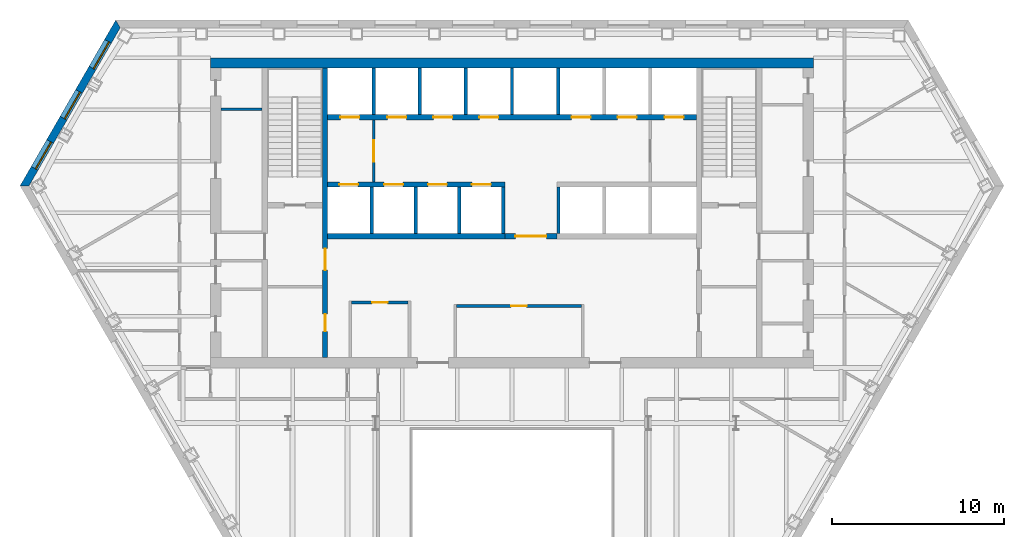
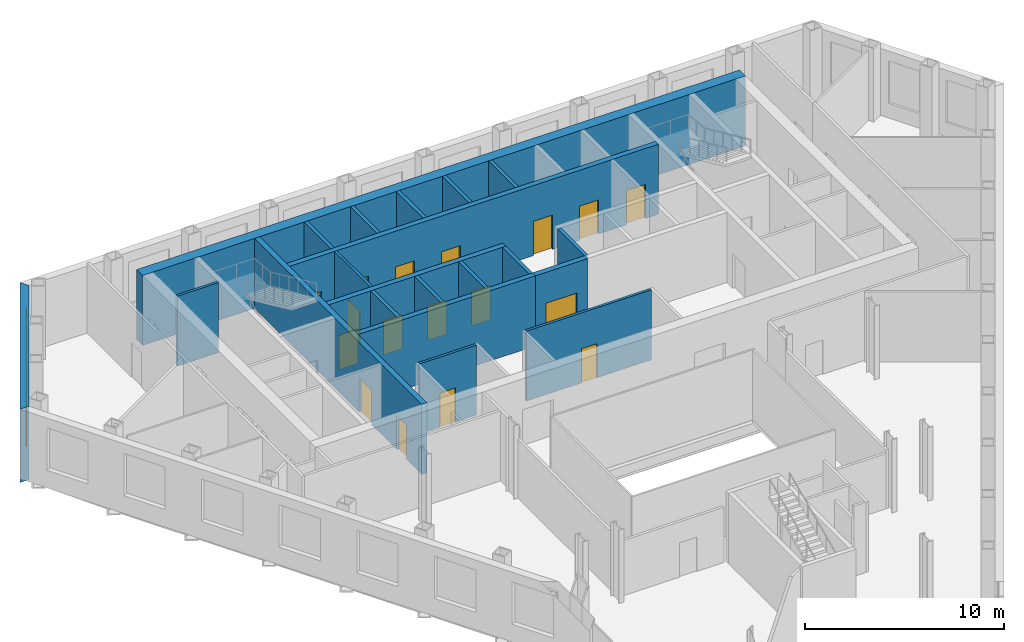
# One storey, part 7 of 12: 21 walls, 17 doors, 3 windows, 20 openings.
"""IFC4 building model written with IfcOpenShell, lengths in metres."""

import ifcopenshell
import ifcopenshell.guid

model = None  # the IFC model being written
_history = None  # IfcOwnerHistory: only IFC2X3 demands one
_inside = {}  # id of a spatial element -> (the spatial element, [elements in it])
_under = {}  # id of a project, library or spatial element -> (it, [spatial elements below it])
_declared = {}  # id of a project -> (the project, [libraries it declares])
_typed = {}  # id of a type object -> (the type object, [elements of that type])
_made_of = {}  # id of a material, layer set ... -> (it, [elements and type objects made of it])


def new_model(schema):
    """Start an empty IFC model of exactly this schema.

    Asked for "IFC4X3", IfcOpenShell would pick the latest addendum, in which some entities
    have other attributes; the version numbers below select the first issue.
    IFC2X3 requires an IfcOwnerHistory on every rooted entity: one is made here for all.
    """
    global model, _history
    if schema == "IFC4X3":
        model = ifcopenshell.file(schema_version=(4, 3, 0, 0))
    else:
        model = ifcopenshell.file(schema=schema)
    _inside.clear()
    _under.clear()
    _declared.clear()
    _typed.clear()
    _made_of.clear()
    _history = None
    if model.schema == "IFC2X3":
        org = make("IfcOrganization", Name="unknown")
        user = make(
            "IfcPersonAndOrganization",
            ThePerson=make("IfcPerson", FamilyName="unknown"),
            TheOrganization=org,
        )
        app = make(
            "IfcApplication",
            ApplicationDeveloper=org,
            Version="unknown",
            ApplicationFullName="unknown",
            ApplicationIdentifier="unknown",
        )
        _history = make(
            "IfcOwnerHistory",
            OwningUser=user,
            OwningApplication=app,
            ChangeAction="ADDED",
            CreationDate=0,
        )
    return model


def make(cls, **values):
    """One entity of the class cls with the attributes given. An attribute that is None is left unset."""
    return model.create_entity(
        cls, **{name: value for name, value in values.items() if value is not None}
    )


def rooted(cls, **values):
    """An entity with a GlobalId (a new one), such as an element, a storey or a relation."""
    return make(cls, GlobalId=ifcopenshell.guid.new(), OwnerHistory=_history, **values)


def si_unit(unit_type, name, prefix=None):
    """IfcSIUnit, for example si_unit("LENGTHUNIT", "METRE", prefix="MILLI")."""
    return make("IfcSIUnit", UnitType=unit_type, Prefix=prefix, Name=name)


def assignment(units):
    """IfcUnitAssignment: the units of a project."""
    return None if units is None else make("IfcUnitAssignment", Units=units)


def point(xyz):
    """IfcCartesianPoint."""
    return None if xyz is None else make("IfcCartesianPoint", Coordinates=xyz)


def direction(xyz):
    """IfcDirection."""
    return None if xyz is None else make("IfcDirection", DirectionRatios=xyz)


def frame(location, z_axis=None, x_axis=None):
    """IfcAxis2Placement3D, a coordinate frame: its origin and axes. An axis left out is left unset."""
    return make(
        "IfcAxis2Placement3D",
        Location=point(location),
        Axis=direction(z_axis),
        RefDirection=direction(x_axis),
    )


def frame_2d(location, x_axis=None):
    """IfcAxis2Placement2D, a coordinate frame in the plane: its origin and x axis."""
    return make(
        "IfcAxis2Placement2D", Location=point(location), RefDirection=direction(x_axis)
    )


def origin():
    """The frame at (0, 0, 0) with its axes left unset."""
    return frame((0.0, 0.0, 0.0))


def place(relative_to, where):
    """IfcLocalPlacement: puts the frame where relative to a parent placement (None: the world)."""
    return make(
        "IfcLocalPlacement", PlacementRelTo=relative_to, RelativePlacement=where
    )


def context(
    kind, dimensions, precision=None, world=None, true_north=None, identifier=None
):
    """IfcGeometricRepresentationContext, for example the 3D "Model" context."""
    return make(
        "IfcGeometricRepresentationContext",
        ContextIdentifier=identifier,
        ContextType=kind,
        CoordinateSpaceDimension=dimensions,
        Precision=precision,
        WorldCoordinateSystem=world,
        TrueNorth=true_north,
    )


def subcontext(parent, identifier, kind, view, scale=None):
    """IfcGeometricRepresentationSubContext, for example "Body" below "Model"."""
    return make(
        "IfcGeometricRepresentationSubContext",
        ContextIdentifier=identifier,
        ContextType=kind,
        ParentContext=parent,
        TargetScale=scale,
        TargetView=view,
    )


def project(units=None, contexts=None):
    """IfcProject with its units and contexts."""
    return rooted(
        "IfcProject",
        Name="project",
        RepresentationContexts=contexts,
        UnitsInContext=assignment(units),
    )


def spatial(cls, under=None, at=None, **own):
    """A site, building, storey or space (cls), placed at a placement, below another one or the project."""
    s = rooted(cls, ObjectPlacement=at, **own)
    if under is not None:
        _under.setdefault(under.id(), (under, []))[1].append(s)
    return s


def polyline(points):
    """IfcPolyline through the points."""
    return make("IfcPolyline", Points=[point(p) for p in points])


def profile(cls, at=None, kind="AREA", **sizes):
    """A parametric profile (cls). Its sizes go by their IFC names, for example OverallWidth=200.0."""
    return make(cls, ProfileType=kind, Position=at, **sizes)


def rectangle(**sizes):
    """IfcRectangleProfileDef."""
    return profile("IfcRectangleProfileDef", **sizes)


def outline(outer, holes=None, kind="AREA"):
    """IfcArbitraryClosedProfileDef: a profile drawn as a closed curve; with holes, ...WithVoids."""
    if holes is None:
        return make("IfcArbitraryClosedProfileDef", ProfileType=kind, OuterCurve=outer)
    return make(
        "IfcArbitraryProfileDefWithVoids",
        ProfileType=kind,
        OuterCurve=outer,
        InnerCurves=holes,
    )


def extrude(swept, where, along, depth):
    """IfcExtrudedAreaSolid: the profile swept, set in the frame where, extruded along a direction by depth."""
    return make(
        "IfcExtrudedAreaSolid",
        SweptArea=swept,
        Position=where,
        ExtrudedDirection=direction(along),
        Depth=depth,
    )


def shape(context_of_items, identifier, shape_type, items):
    """IfcShapeRepresentation: the items that make up one representation, for example the "Body"."""
    return make(
        "IfcShapeRepresentation",
        ContextOfItems=context_of_items,
        RepresentationIdentifier=identifier,
        RepresentationType=shape_type,
        Items=items,
    )


def material(Name=None, Category=None):
    """IfcMaterial."""
    return make("IfcMaterial", Name=Name, Category=Category)


def layer(
    of_material, thickness, ventilated=None, Name=None, Category=None, Priority=None
):
    """IfcMaterialLayer: one layer of a wall or slab, of a material (None: an air gap)."""
    return make(
        "IfcMaterialLayer",
        Material=of_material,
        LayerThickness=thickness,
        IsVentilated=ventilated,
        Name=Name,
        Category=Category,
        Priority=Priority,
    )


def layer_set(layers, Name=None):
    """IfcMaterialLayerSet."""
    return make("IfcMaterialLayerSet", MaterialLayers=layers, LayerSetName=Name)


def made_of(thing, what):
    """Note that an element or type object is made of a material, layer set ...; save() writes the relation."""
    if what is not None:
        _made_of.setdefault(what.id(), (what, []))[1].append(thing)
    return thing


def type_object(cls, material=None, **own):
    """A type object (cls), such as IfcWallType, which elements share."""
    return made_of(rooted(cls, **own), material)


def element(
    cls,
    number,
    at=None,
    inside=None,
    cuts=None,
    type_object=None,
    material=None,
    context=None,
    identifier="Body",
    shape_type=None,
    held_by="IfcProductDefinitionShape",
    body=None,
    shapes=None,
    **own,
):
    """One element of the class cls, such as IfcWall. Its Tag is "e" and its number.

    at: its placement. inside: the storey or other place that contains it. cuts: it is an
    opening in that element (IfcRelVoidsElement). A single representation is given by context,
    identifier, shape_type and body (its items); several are given by shapes. held_by: the class
    of the entity that holds the representations. save() writes the other relations.
    """
    e = rooted(cls, Tag="e%d" % number, ObjectPlacement=at, **own)
    if body is not None:
        shapes = [shape(context, identifier, shape_type, body)]
    if shapes is not None:
        e.Representation = make(held_by, Representations=shapes)
    if inside is not None:
        _inside.setdefault(inside.id(), (inside, []))[1].append(e)
    if cuts is not None:
        rooted(
            "IfcRelVoidsElement", RelatingBuildingElement=cuts, RelatedOpeningElement=e
        )
    if type_object is not None:
        _typed.setdefault(type_object.id(), (type_object, []))[1].append(e)
    return made_of(e, material)


def fill(opening, filler):
    """IfcRelFillsElement: the door or window that sits in an opening."""
    return rooted(
        "IfcRelFillsElement",
        RelatingOpeningElement=opening,
        RelatedBuildingElement=filler,
    )


def aggregate(whole, parts):
    """IfcRelAggregates: a whole, such as a stair, and the parts it consists of."""
    return rooted("IfcRelAggregates", RelatingObject=whole, RelatedObjects=parts)


def save(model, path):
    """Write the relations noted so far, then the file.

    IfcRelAggregates (storeys below a building ...), IfcRelContainedInSpatialStructure (elements
    in a storey), IfcRelDefinesByType, IfcRelAssociatesMaterial and IfcRelDeclares: one each for
    every whole, place, type object, material and project.
    """
    for whole, parts in _under.values():
        aggregate(whole, parts)
    for where, things in _inside.values():
        rooted(
            "IfcRelContainedInSpatialStructure",
            RelatedElements=things,
            RelatingStructure=where,
        )
    for kind, things in _typed.values():
        rooted("IfcRelDefinesByType", RelatedObjects=things, RelatingType=kind)
    for what, things in _made_of.values():
        rooted("IfcRelAssociatesMaterial", RelatedObjects=things, RelatingMaterial=what)
    for by, libraries in _declared.values():
        rooted("IfcRelDeclares", RelatingContext=by, RelatedDefinitions=libraries)
    model.write(path)


model = new_model("IFC4")

# Units and contexts
model_context = context("Model", 3, precision=1e-05, world=origin(), true_north=direction((0.0, 1.0)))
body_context = subcontext(model_context, "Body", "Model", "MODEL_VIEW")
ifc_project = project(units=[si_unit("LENGTHUNIT", "METRE"), si_unit("AREAUNIT", "SQUARE_METRE"), si_unit("VOLUMEUNIT", "CUBIC_METRE"), si_unit("PLANEANGLEUNIT", "RADIAN"), si_unit("MASSUNIT", "GRAM", prefix="KILO")], contexts=[model_context])

# Site, building, storey
site_placement = place(None, origin())
site = spatial("IfcSite", under=ifc_project, at=site_placement, CompositionType="ELEMENT")
building_placement = place(site_placement, origin())
building = spatial("IfcBuilding", under=site, at=building_placement, Name="Njiva Tower", CompositionType="ELEMENT")
storey_placement = place(building_placement, frame((0.0, 0.0, 60.3)))
storey = spatial("IfcBuildingStorey", under=building, at=storey_placement, Name="L12", CompositionType="ELEMENT", Elevation=60.3)

# Wall, opening, door
ifc_material_1 = material(Name="Blockwork", Category="masonry")
ifc_layer_1 = layer(ifc_material_1, 0.15)
ifc_layer_set_1 = layer_set([ifc_layer_1], Name="Blockwork")
wall_type_1 = type_object("IfcWallType", Name="WT1 Compartment partition 150", PredefinedType="PARTITIONING", material=ifc_layer_set_1)
wall_1_placement = place(storey_placement, frame((-9.325, 3.8, 0.0), z_axis=(0.0, 0.0, 1.0), x_axis=(1.0, 0.0, 0.0)))
wall_1 = element("IfcWall", 1, at=wall_1_placement, inside=storey, type_object=wall_type_1, Name="Security office wall north", PredefinedType="PARTITIONING", context=body_context, shape_type="SweptSolid", body=[
    extrude(rectangle(XDim=3.3, YDim=0.15, at=frame_2d((1.65, 0.0))), origin(), (0.0, 0.0, 1.0), 4.3),
])
opening_1_placement = place(wall_1_placement, frame((1.2, 0.0, 0.0)))
opening_1 = element("IfcOpeningElement", 2, at=opening_1_placement, cuts=wall_1, Name="Opening S04-D932", PredefinedType="OPENING", context=body_context, shape_type="SweptSolid", body=[
    extrude(rectangle(XDim=0.9, YDim=2.1, at=frame_2d((0.45, 1.05))), frame((0.0, 0.085, 0.0), z_axis=(0.0, -1.0, 0.0), x_axis=(1.0, 0.0, 0.0)), (0.0, 0.0, 1.0), 0.17),
])
ifc_material_2 = material(Name="Steel fire door, painted", Category="steel")
door_type_1 = type_object("IfcDoorType", Name="D6 Fire-rated door 900x2100", OperationType="SINGLE_SWING_LEFT", PredefinedType="DOOR", material=ifc_material_2)
door_1_placement = place(opening_1_placement, origin())
door_1 = element("IfcDoor", 3, at=door_1_placement, inside=storey, type_object=door_type_1, Name="Security office door", OperationType="SINGLE_SWING_RIGHT", OverallHeight=2.1, OverallWidth=0.9, PredefinedType="DOOR", context=body_context, shape_type="SweptSolid", body=[
    extrude(rectangle(XDim=0.9, YDim=2.1, at=frame_2d((0.45, 1.05))), frame((0.0, 0.025, 0.0), z_axis=(0.0, -1.0, 0.0), x_axis=(1.0, 0.0, 0.0)), (0.0, 0.0, 1.0), 0.05),
])
fill(opening_1, door_1)

wall_2_placement = place(storey_placement, frame((-3.225, 3.6, 0.0), z_axis=(0.0, 0.0, 1.0), x_axis=(1.0, 0.0, 0.0)))
wall_2 = element("IfcWall", 4, at=wall_2_placement, inside=storey, type_object=wall_type_1, Name="Concierge office wall north", PredefinedType="PARTITIONING", context=body_context, shape_type="SweptSolid", body=[
    extrude(rectangle(XDim=7.25, YDim=0.15, at=frame_2d((3.625, 0.0))), origin(), (0.0, 0.0, 1.0), 4.3),
])
opening_2_placement = place(wall_2_placement, frame((3.175, 0.0, 0.0)))
opening_2 = element("IfcOpeningElement", 5, at=opening_2_placement, cuts=wall_2, Name="Opening S04-D933", PredefinedType="OPENING", context=body_context, shape_type="SweptSolid", body=[
    extrude(rectangle(XDim=0.9, YDim=2.1, at=frame_2d((0.45, 1.05))), frame((0.0, 0.085, 0.0), z_axis=(0.0, -1.0, 0.0), x_axis=(1.0, 0.0, 0.0)), (0.0, 0.0, 1.0), 0.17),
])
door_2_placement = place(opening_2_placement, origin())
door_2 = element("IfcDoor", 6, at=door_2_placement, inside=storey, type_object=door_type_1, Name="Concierge office door", OperationType="SINGLE_SWING_LEFT", OverallHeight=2.1, OverallWidth=0.9, PredefinedType="DOOR", context=body_context, shape_type="SweptSolid", body=[
    extrude(rectangle(XDim=0.9, YDim=2.1, at=frame_2d((0.45, 1.05))), frame((0.0, 0.025, 0.0), z_axis=(0.0, -1.0, 0.0), x_axis=(1.0, 0.0, 0.0)), (0.0, 0.0, 1.0), 0.05),
])
fill(opening_2, door_2)

# Wall, openings, doors
ifc_material_3 = material(Name="Concrete C40/50", Category="concrete")
ifc_layer_2 = layer(ifc_material_3, 0.3)
ifc_layer_set_2 = layer_set([ifc_layer_2], Name="Concrete C40/50")
wall_type_2 = type_object("IfcWallType", Name="WT10 Stair enclosure wall 300", PredefinedType="SHEAR", material=ifc_layer_set_2)
wall_3_placement = place(storey_placement, frame((-10.85, 0.6, 0.0), z_axis=(0.0, 0.0, 1.0), x_axis=(0.0, 1.0, 0.0)))
wall_3 = element("IfcWall", 7, at=wall_3_placement, inside=storey, type_object=wall_type_2, Name="Stair wall west inner", PredefinedType="SHEAR", context=body_context, shape_type="SweptSolid", body=[
    extrude(rectangle(XDim=16.8, YDim=0.3, at=frame_2d((8.4, 0.0))), origin(), (0.0, 0.0, 1.0), 4.3),
])
opening_3_placement = place(wall_3_placement, frame((5.075, 0.0, 0.0)))
opening_3 = element("IfcOpeningElement", 8, at=opening_3_placement, cuts=wall_3, Name="Opening S04-D914", PredefinedType="OPENING", context=body_context, shape_type="SweptSolid", body=[
    extrude(rectangle(XDim=1.25, YDim=2.1, at=frame_2d((0.625, 1.05))), frame((0.0, 0.16, 0.0), z_axis=(0.0, -1.0, 0.0), x_axis=(1.0, 0.0, 0.0)), (0.0, 0.0, 1.0), 0.32),
])
opening_4_placement = place(wall_3_placement, frame((1.525, 0.0, 0.0)))
opening_4 = element("IfcOpeningElement", 9, at=opening_4_placement, cuts=wall_3, Name="Opening S04-D915", PredefinedType="OPENING", context=body_context, shape_type="SweptSolid", body=[
    extrude(rectangle(XDim=1.0, YDim=2.1, at=frame_2d((0.5, 1.05))), frame((0.0, 0.16, 0.0), z_axis=(0.0, -1.0, 0.0), x_axis=(1.0, 0.0, 0.0)), (0.0, 0.0, 1.0), 0.32),
])
ifc_material_4 = material(Name="Steel door, painted", Category="steel")
door_type_2 = type_object("IfcDoorType", Name="D5 Steel door 1000x2100", OperationType="SINGLE_SWING_LEFT", PredefinedType="DOOR", material=ifc_material_4)
door_3_placement = place(opening_4_placement, origin())
door_3 = element("IfcDoor", 10, at=door_3_placement, inside=storey, type_object=door_type_2, Name="Business centre door", OperationType="SINGLE_SWING_RIGHT", OverallHeight=2.1, OverallWidth=1.0, PredefinedType="DOOR", context=body_context, shape_type="SweptSolid", body=[
    extrude(rectangle(XDim=1.0, YDim=2.1, at=frame_2d((0.5, 1.05))), frame((0.0, 0.025, 0.0), z_axis=(0.0, -1.0, 0.0), x_axis=(1.0, 0.0, 0.0)), (0.0, 0.0, 1.0), 0.05),
])
fill(opening_4, door_3)
ifc_material_5 = material(Name="Glazed steel fire door", Category="steel")
door_type_3 = type_object("IfcDoorType", Name="D8 Vestibule corridor door 1250x2100 glazed", OperationType="SINGLE_SWING_LEFT", PredefinedType="DOOR", material=ifc_material_5)
door_4_placement = place(opening_3_placement, origin())
door_4 = element("IfcDoor", 11, at=door_4_placement, inside=storey, type_object=door_type_3, Name="Stair vestibule corridor door", OperationType="SINGLE_SWING_LEFT", OverallHeight=2.1, OverallWidth=1.25, PredefinedType="DOOR", context=body_context, shape_type="SweptSolid", body=[
    extrude(rectangle(XDim=1.25, YDim=2.1, at=frame_2d((0.625, 1.05))), frame((0.0, 0.025, 0.0), z_axis=(0.0, -1.0, 0.0), x_axis=(1.0, 0.0, 0.0)), (0.0, 0.0, 1.0), 0.05),
])
fill(opening_3, door_4)

# Wall
ifc_material_6 = material(Name="Concrete C60/75", Category="concrete")
ifc_layer_3 = layer(ifc_material_6, 0.6)
ifc_layer_set_3 = layer_set([ifc_layer_3], Name="Concrete C60/75")
wall_type_3 = type_object("IfcWallType", Name="WT15 Core wall 600", PredefinedType="SHEAR", material=ifc_layer_set_3)
wall_4_placement = place(storey_placement, frame((-17.5, 17.7, 0.0), z_axis=(0.0, 0.0, 1.0), x_axis=(1.0, 0.0, 0.0)))
element("IfcWall", 12, at=wall_4_placement, inside=storey, type_object=wall_type_3, Name="Core wall north", PredefinedType="SHEAR", context=body_context, shape_type="SweptSolid", body=[
    extrude(rectangle(XDim=35.0, YDim=0.6, at=frame_2d((17.5, 0.0))), origin(), (0.0, 0.0, 1.0), 4.3),
])

# Wall, opening, door
ifc_layer_4 = layer(ifc_material_1, 0.15)
ifc_layer_set_4 = layer_set([ifc_layer_4], Name="Blockwork")
wall_type_4 = type_object("IfcWallType", Name="WT2 Lobby partition 150", PredefinedType="PARTITIONING", material=ifc_layer_set_4)
wall_5_placement = place(storey_placement, frame((-8.025, 10.8, 0.0), z_axis=(0.0, 0.0, 1.0), x_axis=(0.0, 1.0, 0.0)))
wall_5 = element("IfcWall", 13, at=wall_5_placement, inside=storey, type_object=wall_type_4, Name="Firefighting lobby wall A", PredefinedType="PARTITIONING", context=body_context, shape_type="SweptSolid", body=[
    extrude(rectangle(XDim=3.6, YDim=0.15, at=frame_2d((1.8, 0.0))), origin(), (0.0, 0.0, 1.0), 4.3),
])
opening_5_placement = place(wall_5_placement, frame((1.175, 0.0, 0.0)))
opening_5 = element("IfcOpeningElement", 14, at=opening_5_placement, cuts=wall_5, Name="Opening S04-D912", PredefinedType="OPENING", context=body_context, shape_type="SweptSolid", body=[
    extrude(rectangle(XDim=1.25, YDim=2.1, at=frame_2d((0.625, 1.05))), frame((0.0, 0.085, 0.0), z_axis=(0.0, -1.0, 0.0), x_axis=(1.0, 0.0, 0.0)), (0.0, 0.0, 1.0), 0.17),
])
door_5_placement = place(opening_5_placement, origin())
door_5 = element("IfcDoor", 15, at=door_5_placement, inside=storey, type_object=door_type_3, Name="Stair vestibule corridor door", OperationType="SINGLE_SWING_RIGHT", OverallHeight=2.1, OverallWidth=1.25, PredefinedType="DOOR", context=body_context, shape_type="SweptSolid", body=[
    extrude(rectangle(XDim=1.25, YDim=2.1, at=frame_2d((0.625, 1.05))), frame((0.0, 0.025, 0.0), z_axis=(0.0, -1.0, 0.0), x_axis=(1.0, 0.0, 0.0)), (0.0, 0.0, 1.0), 0.05),
])
fill(opening_5, door_5)

# Wall
ifc_layer_5 = layer(ifc_material_1, 0.15)
ifc_layer_set_5 = layer_set([ifc_layer_5], Name="Blockwork")
wall_type_5 = type_object("IfcWallType", Name="WT3 Riser partition 150", PredefinedType="PARTITIONING", material=ifc_layer_set_5)
wall_6_placement = place(storey_placement, frame((-16.9, 15.0285, 0.0), z_axis=(0.0, 0.0, 1.0), x_axis=(1.0, 0.0, 0.0)))
element("IfcWall", 16, at=wall_6_placement, inside=storey, type_object=wall_type_5, Name="Partition strip W10", PredefinedType="PARTITIONING", context=body_context, shape_type="SweptSolid", body=[
    extrude(rectangle(XDim=2.4, YDim=0.15, at=frame_2d((1.2, 0.0))), origin(), (0.0, 0.0, 1.0), 4.3),
])

# Wall, opening, door
ifc_layer_6 = layer(ifc_material_1, 0.3)
ifc_layer_set_6 = layer_set([ifc_layer_6], Name="Blockwork")
wall_type_6 = type_object("IfcWallType", Name="WT5 Lobby partition 300", PredefinedType="PARTITIONING", material=ifc_layer_set_6)
wall_7_placement = place(storey_placement, frame((-0.4, 7.65, 0.0), z_axis=(0.0, 0.0, 1.0), x_axis=(1.0, 0.0, 0.0)))
wall_7 = element("IfcWall", 17, at=wall_7_placement, inside=storey, type_object=wall_type_6, Name="Lift lobby screen wall", PredefinedType="PARTITIONING", context=body_context, shape_type="SweptSolid", body=[
    extrude(rectangle(XDim=3.0, YDim=0.3, at=frame_2d((1.5, 0.0))), origin(), (0.0, 0.0, 1.0), 4.3),
])
opening_6_placement = place(wall_7_placement, frame((0.6, 0.0, 0.0)))
opening_6 = element("IfcOpeningElement", 18, at=opening_6_placement, cuts=wall_7, Name="Opening S04-D934", PredefinedType="OPENING", context=body_context, shape_type="SweptSolid", body=[
    extrude(rectangle(XDim=1.8, YDim=2.4, at=frame_2d((0.9, 1.2))), frame((0.0, 0.16, 0.0), z_axis=(0.0, -1.0, 0.0), x_axis=(1.0, 0.0, 0.0)), (0.0, 0.0, 1.0), 0.32),
])
ifc_material_7 = material(Name="Steel and glass door", Category="steel")
door_type_4 = type_object("IfcDoorType", Name="D3 Core entrance door 1800x2400", OperationType="DOUBLE_DOOR_SINGLE_SWING", PredefinedType="DOOR", material=ifc_material_7)
door_6_placement = place(opening_6_placement, origin())
door_6 = element("IfcDoor", 19, at=door_6_placement, inside=storey, type_object=door_type_4, Name="Core entrance door", OperationType="DOUBLE_DOOR_SINGLE_SWING", OverallHeight=2.4, OverallWidth=1.8, PredefinedType="DOOR", context=body_context, shape_type="SweptSolid", body=[
    extrude(rectangle(XDim=1.8, YDim=2.4, at=frame_2d((0.9, 1.2))), frame((0.0, 0.025, 0.0), z_axis=(0.0, -1.0, 0.0), x_axis=(1.0, 0.0, 0.0)), (0.0, 0.0, 1.0), 0.05),
])
fill(opening_6, door_6)

# Walls
ifc_layer_7 = layer(ifc_material_3, 0.2)
ifc_layer_set_7 = layer_set([ifc_layer_7], Name="Concrete C40/50")
wall_type_7 = type_object("IfcWallType", Name="WT6 Lift shaft wall 200", PredefinedType="SHEAR", material=ifc_layer_set_7)
for number, where, z_axis, x_axis, name in (
    (20, (-8.025, 14.7, 0.0), (0.0, 0.0, 1.0), (0.0, 1.0, 0.0), "Shaft wall CN1"),
    (21, (-5.35, 14.7, 0.0), (0.0, 0.0, 1.0), (0.0, 1.0, 0.0), "Shaft wall CN2"),
    (22, (-2.675, 14.7, 0.0), (0.0, 0.0, 1.0), (0.0, 1.0, 0.0), "Shaft wall CN3"),
    (23, (0.0, 14.7, 0.0), (0.0, 0.0, 1.0), (0.0, 1.0, 0.0), "Shaft wall CN4"),
    (24, (2.675, 14.7, 0.0), (0.0, 0.0, 1.0), (0.0, 1.0, 0.0), "Shaft wall CN5"),
    (25, (-8.15, 7.8, 0.0), (0.0, 0.0, 1.0), (0.0, 1.0, 0.0), "Shaft wall CS1"),
    (26, (-5.6, 7.8, 0.0), (0.0, 0.0, 1.0), (0.0, 1.0, 0.0), "Shaft wall CS2"),
    (27, (-3.05, 7.8, 0.0), (0.0, 0.0, 1.0), (0.0, 1.0, 0.0), "Shaft wall CS3"),
    (28, (-0.5, 7.8, 0.0), (0.0, 0.0, 1.0), (0.0, 1.0, 0.0), "Shaft wall CS4"),
    (29, (2.7, 7.8, 0.0), (0.0, 0.0, 1.0), (0.0, 1.0, 0.0), "Shaft wall CS5"),
):
    element("IfcWall", number, at=place(storey_placement, frame(where, z_axis=z_axis, x_axis=x_axis)), inside=storey, type_object=wall_type_7, Name=name, PredefinedType="SHEAR", context=body_context, shape_type="SweptSolid", body=[
        extrude(rectangle(XDim=2.7, YDim=0.2, at=frame_2d((1.35, 0.0))), origin(), (0.0, 0.0, 1.0), 4.3),
    ])

# Wall, openings, doors
ifc_layer_8 = layer(ifc_material_3, 0.3)
ifc_layer_set_8 = layer_set([ifc_layer_8], Name="Concrete C40/50")
wall_type_8 = type_object("IfcWallType", Name="WT7 Lift shaft wall 300", PredefinedType="SHEAR", material=ifc_layer_set_8)
wall_8_placement = place(storey_placement, frame((-10.7, 14.55, 0.0), z_axis=(0.0, 0.0, 1.0), x_axis=(1.0, 0.0, 0.0)))
wall_8 = element("IfcWall", 30, at=wall_8_placement, inside=storey, type_object=wall_type_8, Name="Shaft wall north row lobby side", PredefinedType="SHEAR", context=body_context, shape_type="SweptSolid", body=[
    extrude(rectangle(XDim=21.4, YDim=0.3, at=frame_2d((10.7, 0.0))), origin(), (0.0, 0.0, 1.0), 4.3),
])
opening_7_placement = place(wall_8_placement, frame((0.7375, 0.0, 0.0)))
opening_7 = element("IfcOpeningElement", 31, at=opening_7_placement, cuts=wall_8, Name="Opening S04-D901", PredefinedType="OPENING", context=body_context, shape_type="SweptSolid", body=[
    extrude(rectangle(XDim=1.1, YDim=2.1, at=frame_2d((0.55, 1.05))), frame((0.0, 0.16, 0.0), z_axis=(0.0, -1.0, 0.0), x_axis=(1.0, 0.0, 0.0)), (0.0, 0.0, 1.0), 0.32),
])
opening_8_placement = place(wall_8_placement, frame((3.4625, 0.0, 0.0)))
opening_8 = element("IfcOpeningElement", 32, at=opening_8_placement, cuts=wall_8, Name="Opening S04-D902", PredefinedType="OPENING", context=body_context, shape_type="SweptSolid", body=[
    extrude(rectangle(XDim=1.1, YDim=2.1, at=frame_2d((0.55, 1.05))), frame((0.0, 0.16, 0.0), z_axis=(0.0, -1.0, 0.0), x_axis=(1.0, 0.0, 0.0)), (0.0, 0.0, 1.0), 0.32),
])
opening_9_placement = place(wall_8_placement, frame((6.1375, 0.0, 0.0)))
opening_9 = element("IfcOpeningElement", 33, at=opening_9_placement, cuts=wall_8, Name="Opening S04-D903", PredefinedType="OPENING", context=body_context, shape_type="SweptSolid", body=[
    extrude(rectangle(XDim=1.1, YDim=2.1, at=frame_2d((0.55, 1.05))), frame((0.0, 0.16, 0.0), z_axis=(0.0, -1.0, 0.0), x_axis=(1.0, 0.0, 0.0)), (0.0, 0.0, 1.0), 0.32),
])
opening_10_placement = place(wall_8_placement, frame((8.8125, 0.0, 0.0)))
opening_10 = element("IfcOpeningElement", 34, at=opening_10_placement, cuts=wall_8, Name="Opening S04-D904", PredefinedType="OPENING", context=body_context, shape_type="SweptSolid", body=[
    extrude(rectangle(XDim=1.1, YDim=2.1, at=frame_2d((0.55, 1.05))), frame((0.0, 0.16, 0.0), z_axis=(0.0, -1.0, 0.0), x_axis=(1.0, 0.0, 0.0)), (0.0, 0.0, 1.0), 0.32),
])
opening_11_placement = place(wall_8_placement, frame((14.1625, 0.0, 0.0)))
opening_11 = element("IfcOpeningElement", 35, at=opening_11_placement, cuts=wall_8, Name="Opening S04-D905", PredefinedType="OPENING", context=body_context, shape_type="SweptSolid", body=[
    extrude(rectangle(XDim=1.1, YDim=2.1, at=frame_2d((0.55, 1.05))), frame((0.0, 0.16, 0.0), z_axis=(0.0, -1.0, 0.0), x_axis=(1.0, 0.0, 0.0)), (0.0, 0.0, 1.0), 0.32),
])
opening_12_placement = place(wall_8_placement, frame((16.8375, 0.0, 0.0)))
opening_12 = element("IfcOpeningElement", 36, at=opening_12_placement, cuts=wall_8, Name="Opening S04-D906", PredefinedType="OPENING", context=body_context, shape_type="SweptSolid", body=[
    extrude(rectangle(XDim=1.1, YDim=2.1, at=frame_2d((0.55, 1.05))), frame((0.0, 0.16, 0.0), z_axis=(0.0, -1.0, 0.0), x_axis=(1.0, 0.0, 0.0)), (0.0, 0.0, 1.0), 0.32),
])
opening_13_placement = place(wall_8_placement, frame((19.5625, 0.0, 0.0)))
opening_13 = element("IfcOpeningElement", 37, at=opening_13_placement, cuts=wall_8, Name="Opening S04-D907", PredefinedType="OPENING", context=body_context, shape_type="SweptSolid", body=[
    extrude(rectangle(XDim=1.1, YDim=2.1, at=frame_2d((0.55, 1.05))), frame((0.0, 0.16, 0.0), z_axis=(0.0, -1.0, 0.0), x_axis=(1.0, 0.0, 0.0)), (0.0, 0.0, 1.0), 0.32),
])
ifc_material_8 = material(Name="Stainless steel sliding door", Category="steel")
door_type_5 = type_object("IfcDoorType", Name="LD Lift landing door 1100x2100", OperationType="SLIDING_TO_LEFT", PredefinedType="DOOR", material=ifc_material_8)
door_7_placement = place(opening_7_placement, origin())
door_7 = element("IfcDoor", 38, at=door_7_placement, inside=storey, type_object=door_type_5, Name="Lift landing door FF1", OperationType="SLIDING_TO_LEFT", OverallHeight=2.1, OverallWidth=1.1, PredefinedType="DOOR", context=body_context, shape_type="SweptSolid", body=[
    extrude(rectangle(XDim=1.1, YDim=2.1, at=frame_2d((0.55, 1.05))), frame((0.0, 0.025, 0.0), z_axis=(0.0, -1.0, 0.0), x_axis=(1.0, 0.0, 0.0)), (0.0, 0.0, 1.0), 0.05),
])
fill(opening_7, door_7)
door_8_placement = place(opening_8_placement, origin())
door_8 = element("IfcDoor", 39, at=door_8_placement, inside=storey, type_object=door_type_5, Name="Lift landing door LB1", OperationType="SLIDING_TO_LEFT", OverallHeight=2.1, OverallWidth=1.1, PredefinedType="DOOR", context=body_context, shape_type="SweptSolid", body=[
    extrude(rectangle(XDim=1.1, YDim=2.1, at=frame_2d((0.55, 1.05))), frame((0.0, 0.025, 0.0), z_axis=(0.0, -1.0, 0.0), x_axis=(1.0, 0.0, 0.0)), (0.0, 0.0, 1.0), 0.05),
])
fill(opening_8, door_8)
door_9_placement = place(opening_9_placement, origin())
door_9 = element("IfcDoor", 40, at=door_9_placement, inside=storey, type_object=door_type_5, Name="Lift landing door LB2", OperationType="SLIDING_TO_LEFT", OverallHeight=2.1, OverallWidth=1.1, PredefinedType="DOOR", context=body_context, shape_type="SweptSolid", body=[
    extrude(rectangle(XDim=1.1, YDim=2.1, at=frame_2d((0.55, 1.05))), frame((0.0, 0.025, 0.0), z_axis=(0.0, -1.0, 0.0), x_axis=(1.0, 0.0, 0.0)), (0.0, 0.0, 1.0), 0.05),
])
fill(opening_9, door_9)
door_10_placement = place(opening_10_placement, origin())
door_10 = element("IfcDoor", 41, at=door_10_placement, inside=storey, type_object=door_type_5, Name="Lift landing door LB3", OperationType="SLIDING_TO_LEFT", OverallHeight=2.1, OverallWidth=1.1, PredefinedType="DOOR", context=body_context, shape_type="SweptSolid", body=[
    extrude(rectangle(XDim=1.1, YDim=2.1, at=frame_2d((0.55, 1.05))), frame((0.0, 0.025, 0.0), z_axis=(0.0, -1.0, 0.0), x_axis=(1.0, 0.0, 0.0)), (0.0, 0.0, 1.0), 0.05),
])
fill(opening_10, door_10)
door_11_placement = place(opening_11_placement, origin())
door_11 = element("IfcDoor", 42, at=door_11_placement, inside=storey, type_object=door_type_5, Name="Lift landing door FR1", OperationType="SLIDING_TO_LEFT", OverallHeight=2.1, OverallWidth=1.1, PredefinedType="DOOR", context=body_context, shape_type="SweptSolid", body=[
    extrude(rectangle(XDim=1.1, YDim=2.1, at=frame_2d((0.55, 1.05))), frame((0.0, 0.025, 0.0), z_axis=(0.0, -1.0, 0.0), x_axis=(1.0, 0.0, 0.0)), (0.0, 0.0, 1.0), 0.05),
])
fill(opening_11, door_11)
door_12_placement = place(opening_12_placement, origin())
door_12 = element("IfcDoor", 43, at=door_12_placement, inside=storey, type_object=door_type_5, Name="Lift landing door FR2", OperationType="SLIDING_TO_LEFT", OverallHeight=2.1, OverallWidth=1.1, PredefinedType="DOOR", context=body_context, shape_type="SweptSolid", body=[
    extrude(rectangle(XDim=1.1, YDim=2.1, at=frame_2d((0.55, 1.05))), frame((0.0, 0.025, 0.0), z_axis=(0.0, -1.0, 0.0), x_axis=(1.0, 0.0, 0.0)), (0.0, 0.0, 1.0), 0.05),
])
fill(opening_12, door_12)
door_13_placement = place(opening_13_placement, origin())
door_13 = element("IfcDoor", 44, at=door_13_placement, inside=storey, type_object=door_type_5, Name="Lift landing door FF2", OperationType="SLIDING_TO_LEFT", OverallHeight=2.1, OverallWidth=1.1, PredefinedType="DOOR", context=body_context, shape_type="SweptSolid", body=[
    extrude(rectangle(XDim=1.1, YDim=2.1, at=frame_2d((0.55, 1.05))), frame((0.0, 0.025, 0.0), z_axis=(0.0, -1.0, 0.0), x_axis=(1.0, 0.0, 0.0)), (0.0, 0.0, 1.0), 0.05),
])
fill(opening_13, door_13)

wall_9_placement = place(storey_placement, frame((-10.7, 10.65, 0.0), z_axis=(0.0, 0.0, 1.0), x_axis=(1.0, 0.0, 0.0)))
wall_9 = element("IfcWall", 45, at=wall_9_placement, inside=storey, type_object=wall_type_8, Name="Shaft wall south row lobby side W", PredefinedType="SHEAR", context=body_context, shape_type="SweptSolid", body=[
    extrude(rectangle(XDim=10.3, YDim=0.3, at=frame_2d((5.15, 0.0))), origin(), (0.0, 0.0, 1.0), 4.3),
])
opening_14_placement = place(wall_9_placement, frame((0.675, 0.0, 0.0)))
opening_14 = element("IfcOpeningElement", 46, at=opening_14_placement, cuts=wall_9, Name="Opening S04-D908", PredefinedType="OPENING", context=body_context, shape_type="SweptSolid", body=[
    extrude(rectangle(XDim=1.1, YDim=2.1, at=frame_2d((0.55, 1.05))), frame((0.0, 0.16, 0.0), z_axis=(0.0, -1.0, 0.0), x_axis=(1.0, 0.0, 0.0)), (0.0, 0.0, 1.0), 0.32),
])
opening_15_placement = place(wall_9_placement, frame((3.275, 0.0, 0.0)))
opening_15 = element("IfcOpeningElement", 47, at=opening_15_placement, cuts=wall_9, Name="Opening S04-D909", PredefinedType="OPENING", context=body_context, shape_type="SweptSolid", body=[
    extrude(rectangle(XDim=1.1, YDim=2.1, at=frame_2d((0.55, 1.05))), frame((0.0, 0.16, 0.0), z_axis=(0.0, -1.0, 0.0), x_axis=(1.0, 0.0, 0.0)), (0.0, 0.0, 1.0), 0.32),
])
opening_16_placement = place(wall_9_placement, frame((5.825, 0.0, 0.0)))
opening_16 = element("IfcOpeningElement", 48, at=opening_16_placement, cuts=wall_9, Name="Opening S04-D910", PredefinedType="OPENING", context=body_context, shape_type="SweptSolid", body=[
    extrude(rectangle(XDim=1.1, YDim=2.1, at=frame_2d((0.55, 1.05))), frame((0.0, 0.16, 0.0), z_axis=(0.0, -1.0, 0.0), x_axis=(1.0, 0.0, 0.0)), (0.0, 0.0, 1.0), 0.32),
])
opening_17_placement = place(wall_9_placement, frame((8.375, 0.0, 0.0)))
opening_17 = element("IfcOpeningElement", 49, at=opening_17_placement, cuts=wall_9, Name="Opening S04-D911", PredefinedType="OPENING", context=body_context, shape_type="SweptSolid", body=[
    extrude(rectangle(XDim=1.1, YDim=2.1, at=frame_2d((0.55, 1.05))), frame((0.0, 0.16, 0.0), z_axis=(0.0, -1.0, 0.0), x_axis=(1.0, 0.0, 0.0)), (0.0, 0.0, 1.0), 0.32),
])
door_14_placement = place(opening_14_placement, origin())
door_14 = element("IfcDoor", 50, at=door_14_placement, inside=storey, type_object=door_type_5, Name="Lift landing door LB4", OperationType="SLIDING_TO_LEFT", OverallHeight=2.1, OverallWidth=1.1, PredefinedType="DOOR", context=body_context, shape_type="SweptSolid", body=[
    extrude(rectangle(XDim=1.1, YDim=2.1, at=frame_2d((0.55, 1.05))), frame((0.0, 0.025, 0.0), z_axis=(0.0, -1.0, 0.0), x_axis=(1.0, 0.0, 0.0)), (0.0, 0.0, 1.0), 0.05),
])
fill(opening_14, door_14)
door_15_placement = place(opening_15_placement, origin())
door_15 = element("IfcDoor", 51, at=door_15_placement, inside=storey, type_object=door_type_5, Name="Lift landing door LB5", OperationType="SLIDING_TO_LEFT", OverallHeight=2.1, OverallWidth=1.1, PredefinedType="DOOR", context=body_context, shape_type="SweptSolid", body=[
    extrude(rectangle(XDim=1.1, YDim=2.1, at=frame_2d((0.55, 1.05))), frame((0.0, 0.025, 0.0), z_axis=(0.0, -1.0, 0.0), x_axis=(1.0, 0.0, 0.0)), (0.0, 0.0, 1.0), 0.05),
])
fill(opening_15, door_15)
door_16_placement = place(opening_16_placement, origin())
door_16 = element("IfcDoor", 52, at=door_16_placement, inside=storey, type_object=door_type_5, Name="Lift landing door LB6", OperationType="SLIDING_TO_LEFT", OverallHeight=2.1, OverallWidth=1.1, PredefinedType="DOOR", context=body_context, shape_type="SweptSolid", body=[
    extrude(rectangle(XDim=1.1, YDim=2.1, at=frame_2d((0.55, 1.05))), frame((0.0, 0.025, 0.0), z_axis=(0.0, -1.0, 0.0), x_axis=(1.0, 0.0, 0.0)), (0.0, 0.0, 1.0), 0.05),
])
fill(opening_16, door_16)
door_17_placement = place(opening_17_placement, origin())
door_17 = element("IfcDoor", 53, at=door_17_placement, inside=storey, type_object=door_type_5, Name="Lift landing door LB7", OperationType="SLIDING_TO_LEFT", OverallHeight=2.1, OverallWidth=1.1, PredefinedType="DOOR", context=body_context, shape_type="SweptSolid", body=[
    extrude(rectangle(XDim=1.1, YDim=2.1, at=frame_2d((0.55, 1.05))), frame((0.0, 0.025, 0.0), z_axis=(0.0, -1.0, 0.0), x_axis=(1.0, 0.0, 0.0)), (0.0, 0.0, 1.0), 0.05),
])
fill(opening_17, door_17)

# Wall
wall_10_placement = place(storey_placement, frame((-10.7, 7.65, 0.0), z_axis=(0.0, 0.0, 1.0), x_axis=(1.0, 0.0, 0.0)))
element("IfcWall", 54, at=wall_10_placement, inside=storey, type_object=wall_type_8, Name="Shaft wall south row back W", PredefinedType="SHEAR", context=body_context, shape_type="SweptSolid", body=[
    extrude(rectangle(XDim=10.3, YDim=0.3, at=frame_2d((5.15, 0.0))), origin(), (0.0, 0.0, 1.0), 4.3),
])

# Wall, openings, windows
ifc_material_9 = material(Name="Brick masonry, buff", Category="masonry")
ifc_layer_9 = layer(ifc_material_9, 0.45)
ifc_layer_set_9 = layer_set([ifc_layer_9], Name="Brick masonry, buff")
wall_type_9 = type_object("IfcWallType", Name="WT94 Brick pier and spandrel wall 450, buff", PredefinedType="SOLIDWALL", material=ifc_layer_set_9)
wall_11_placement = place(storey_placement, frame((-22.8713, 19.9728, -0.4), z_axis=(0.0, 0.0, 1.0), x_axis=(-0.500001948972, -0.866024278542, 0.0)))
wall_11 = element("IfcWall", 55, at=wall_11_placement, inside=storey, type_object=wall_type_9, Name="Facade wall NW", PredefinedType="SOLIDWALL", context=body_context, shape_type="SweptSolid", body=[
    extrude(outline(polyline([(-0.1299, -0.225), (10.9801, -0.225), (10.7203, 0.225), (0.1299, 0.225), (-0.1299, -0.225)])), origin(), (0.0, 0.0, 1.0), 4.5),
])
opening_18_placement = place(wall_11_placement, frame((1.1681, 0.0, 1.3)))
opening_18 = element("IfcOpeningElement", 56, at=opening_18_placement, cuts=wall_11, Name="Opening S04-W09", PredefinedType="OPENING", context=body_context, shape_type="SweptSolid", body=[
    extrude(rectangle(XDim=1.8, YDim=2.6, at=frame_2d((0.9, 1.3))), frame((0.0, 0.235, 0.0), z_axis=(0.0, -1.0, 0.0), x_axis=(1.0, 0.0, 0.0)), (0.0, 0.0, 1.0), 0.47),
])
opening_19_placement = place(wall_11_placement, frame((4.5251, 0.0, 1.3)))
opening_19 = element("IfcOpeningElement", 57, at=opening_19_placement, cuts=wall_11, Name="Opening S04-W10", PredefinedType="OPENING", context=body_context, shape_type="SweptSolid", body=[
    extrude(rectangle(XDim=1.8, YDim=2.6, at=frame_2d((0.9, 1.3))), frame((0.0, 0.235, 0.0), z_axis=(0.0, -1.0, 0.0), x_axis=(1.0, 0.0, 0.0)), (0.0, 0.0, 1.0), 0.47),
])
opening_20_placement = place(wall_11_placement, frame((7.8821, 0.0, 1.3)))
opening_20 = element("IfcOpeningElement", 58, at=opening_20_placement, cuts=wall_11, Name="Opening S04-W11", PredefinedType="OPENING", context=body_context, shape_type="SweptSolid", body=[
    extrude(rectangle(XDim=1.8, YDim=2.6, at=frame_2d((0.9, 1.3))), frame((0.0, 0.235, 0.0), z_axis=(0.0, -1.0, 0.0), x_axis=(1.0, 0.0, 0.0)), (0.0, 0.0, 1.0), 0.47),
])
ifc_material_10 = material(Name="Clear glazing in aluminium frame", Category="aluminium")
window_type = type_object("IfcWindowType", Name="W96 Deep-set window 1800x2600", PartitioningType="SINGLE_PANEL", PredefinedType="WINDOW", material=ifc_material_10)
window_1_placement = place(opening_18_placement, origin())
window_1 = element("IfcWindow", 59, at=window_1_placement, inside=storey, type_object=window_type, Name="Window", OverallHeight=2.6, OverallWidth=1.8, PartitioningType="SINGLE_PANEL", PredefinedType="WINDOW", context=body_context, shape_type="SweptSolid", body=[
    extrude(rectangle(XDim=1.8, YDim=2.6, at=frame_2d((0.9, 1.3))), frame((0.0, 0.105, 0.0), z_axis=(0.0, -1.0, 0.0), x_axis=(1.0, 0.0, 0.0)), (0.0, 0.0, 1.0), 0.06),
])
fill(opening_18, window_1)
window_2_placement = place(opening_19_placement, origin())
window_2 = element("IfcWindow", 60, at=window_2_placement, inside=storey, type_object=window_type, Name="Window", OverallHeight=2.6, OverallWidth=1.8, PartitioningType="SINGLE_PANEL", PredefinedType="WINDOW", context=body_context, shape_type="SweptSolid", body=[
    extrude(rectangle(XDim=1.8, YDim=2.6, at=frame_2d((0.9, 1.3))), frame((0.0, 0.105, 0.0), z_axis=(0.0, -1.0, 0.0), x_axis=(1.0, 0.0, 0.0)), (0.0, 0.0, 1.0), 0.06),
])
fill(opening_19, window_2)
window_3_placement = place(opening_20_placement, origin())
window_3 = element("IfcWindow", 61, at=window_3_placement, inside=storey, type_object=window_type, Name="Window", OverallHeight=2.6, OverallWidth=1.8, PartitioningType="SINGLE_PANEL", PredefinedType="WINDOW", context=body_context, shape_type="SweptSolid", body=[
    extrude(rectangle(XDim=1.8, YDim=2.6, at=frame_2d((0.9, 1.3))), frame((0.0, 0.105, 0.0), z_axis=(0.0, -1.0, 0.0), x_axis=(1.0, 0.0, 0.0)), (0.0, 0.0, 1.0), 0.06),
])
fill(opening_20, window_3)

save(model, "model.ifc")
